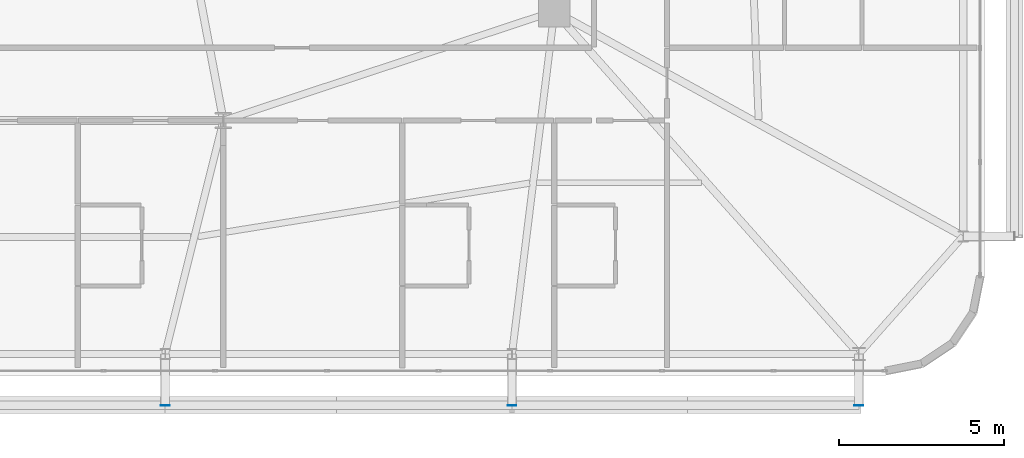
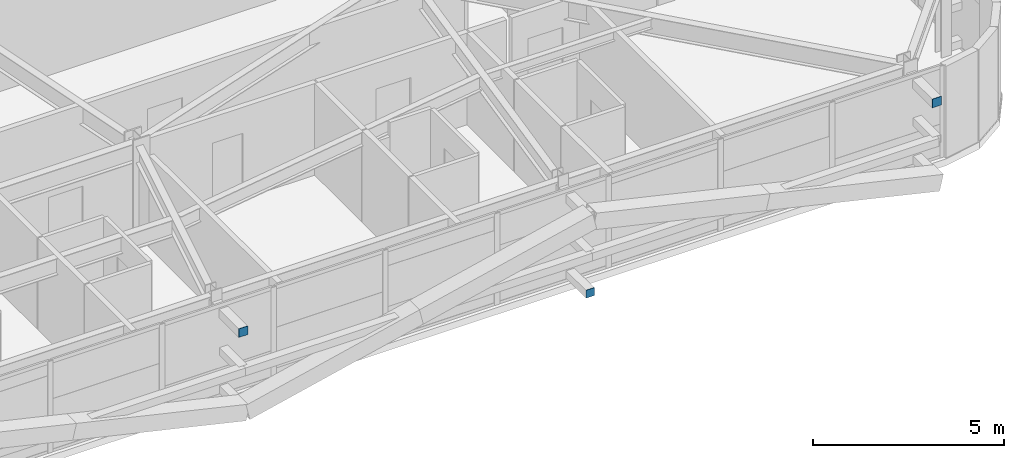
# One storey, part 47 of 59: 3 plates.
"""IFC4 building model written with IfcOpenShell, lengths in metres."""

from ifc_helpers import new_model, si_unit, direction, frame, origin, origin_2d, place, context, subcontext, project, spatial, rectangle, extrude, source, transform, mapped, material, layer, layer_set, type_object, element, save


model = new_model("IFC4")

# Units and contexts
model_context = context("Model", 3, precision=1e-05, world=origin(), true_north=direction((0.0, 1.0)))
body_context = subcontext(model_context, "Body", "Model", "MODEL_VIEW")
ifc_project = project(units=[si_unit("LENGTHUNIT", "METRE"), si_unit("AREAUNIT", "SQUARE_METRE"), si_unit("VOLUMEUNIT", "CUBIC_METRE"), si_unit("PLANEANGLEUNIT", "RADIAN"), si_unit("MASSUNIT", "GRAM", prefix="KILO")], contexts=[model_context])

# Site, building, storey
site_placement = place(None, origin())
site = spatial("IfcSite", under=ifc_project, at=site_placement, CompositionType="ELEMENT")
building_placement = place(site_placement, origin())
building = spatial("IfcBuilding", under=site, at=building_placement, Name="Taldren Reach Tower", CompositionType="ELEMENT")
storey_placement = place(building_placement, frame((0.0, 0.0, 19.949951171875)))
storey = spatial("IfcBuildingStorey", under=building, at=storey_placement, Name="L05", CompositionType="ELEMENT", Elevation=19.949951171875)

# Plates
ifc_material_1 = material(Name="Steel Gr 450 (C450L0)", Category="steel")
ifc_layer_1 = layer(ifc_material_1, 0.011962890625)
ifc_layer_set_1 = layer_set([ifc_layer_1], Name="Steel Gr 450 (C450L0)")
plate_type_1 = type_object("IfcPlateType", Name="PL-CAP-275", PredefinedType="SHEET", material=ifc_layer_set_1)
shared_shape_1 = source(origin(), body_context, "Body", "SweptSolid", [
    extrude(rectangle(XDim=0.27490234375, YDim=0.011962890625, at=origin_2d()), origin(), (0.0, 0.0, 1.0), 0.27490234375),
])
for number, where, z_axis, x_axis, name in (
    (1, (40.239990234375, 0.593994140625, 2.5126953125), (0.0, 0.0, 1.0), (1.0, 0.0, 0.0), "Tie strut end cap plate B1-S4 L05"),
    (2, (61.199951171875, 0.593994140625, 2.5126953125), (0.0, 0.0, 1.0), (1.0, 0.0, 0.0), "Tie strut end cap plate B1-S6 L05"),
):
    element("IfcPlate", number, at=place(storey_placement, frame(where, z_axis=z_axis, x_axis=x_axis)), inside=storey, type_object=plate_type_1, Name=name, PredefinedType="SHEET", context=body_context, shape_type="MappedRepresentation", body=[
        mapped(shared_shape_1, transform((0.0, 0.0, 0.0), scale=1.0)),
    ])
ifc_material_2 = material(Name="Steel Gr 350 (C350L0)", Category="steel")
ifc_layer_2 = layer(ifc_material_2, 0.011962890625)
ifc_layer_set_2 = layer_set([ifc_layer_2], Name="Steel Gr 350 (C350L0)")
plate_type_2 = type_object("IfcPlateType", Name="PL-CAP-250", PredefinedType="SHEET", material=ifc_layer_set_2)
shared_shape_2 = source(origin(), body_context, "Body", "SweptSolid", [
    extrude(rectangle(XDim=0.25, YDim=0.011962890625, at=origin_2d()), origin(), (0.0, 0.0, 1.0), 0.25),
])
plate_placement = place(storey_placement, frame((50.719970703125, 0.593994140625, 0.094970703125), z_axis=(0.0, 0.0, 1.0), x_axis=(1.0, 0.0, 0.0)))
element("IfcPlate", 3, at=plate_placement, inside=storey, type_object=plate_type_2, Name="Tie strut end cap plate B1-S5 L05", PredefinedType="SHEET", context=body_context, shape_type="MappedRepresentation", body=[
    mapped(shared_shape_2, transform((0.0, 0.0, 0.0), scale=1.0)),
])

save(model, "model.ifc")
